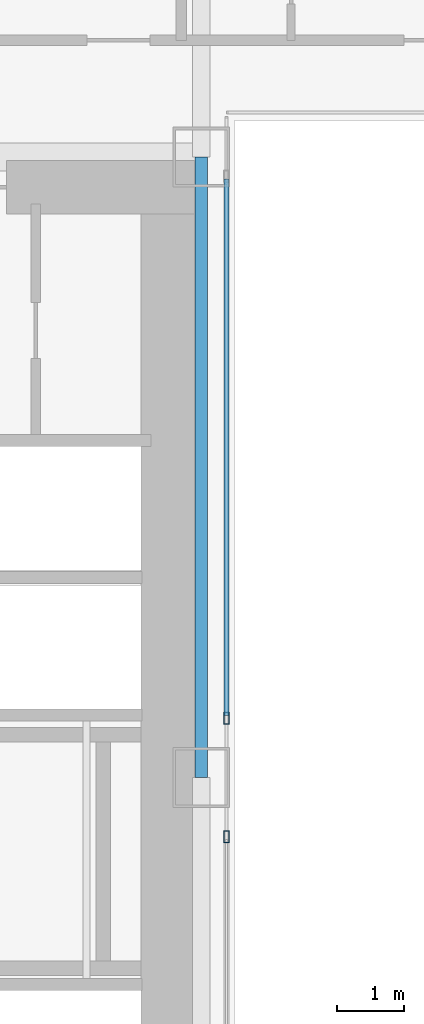
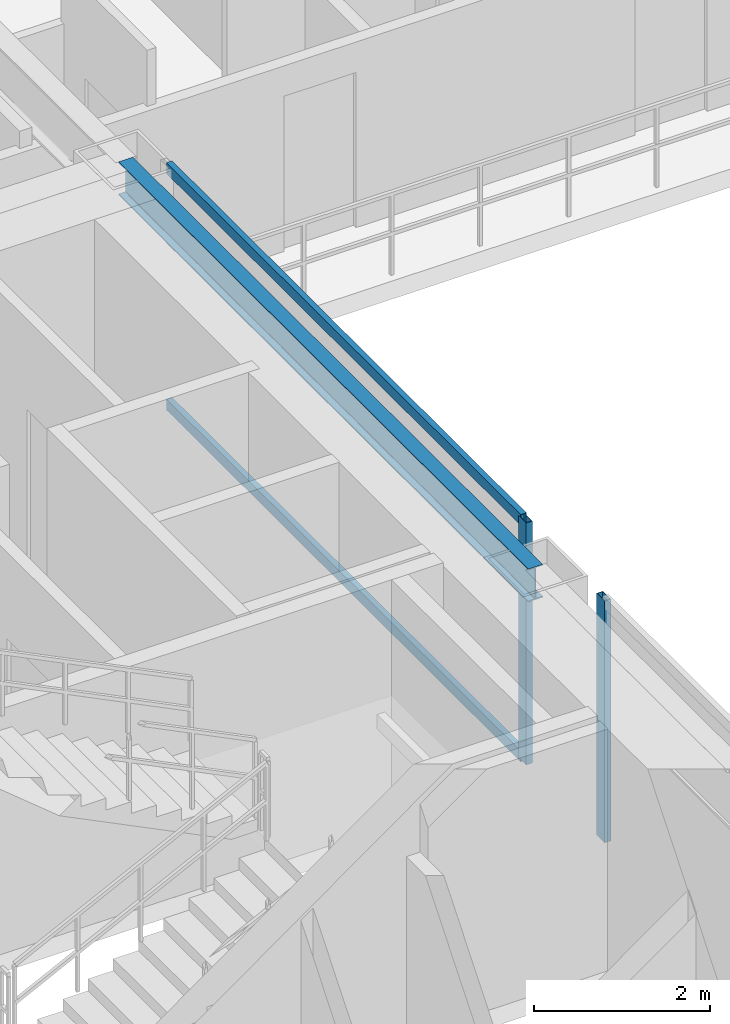
# One storey, part 10 of 41: 5 members, 1 beam, 2 elements without a shape of their own.
"""IFC4 building model written with IfcOpenShell, lengths in metres."""

from ifc_helpers import new_model, si_unit, direction, frame, origin, origin_2d, place, context, subcontext, project, spatial, hollow_rectangle, i_section, extrude, source, transform, mapped, material, layer, layer_set, material_profile, profile_set, type_object, element, aggregate, save


model = new_model("IFC4")

# Units and contexts
model_context = context("Model", 3, precision=1e-05, world=origin(), true_north=direction((0.0, 1.0)))
body_context = subcontext(model_context, "Body", "Model", "MODEL_VIEW")
ifc_project = project(units=[si_unit("LENGTHUNIT", "METRE"), si_unit("AREAUNIT", "SQUARE_METRE"), si_unit("VOLUMEUNIT", "CUBIC_METRE"), si_unit("PLANEANGLEUNIT", "RADIAN"), si_unit("MASSUNIT", "GRAM", prefix="KILO")], contexts=[model_context])

# Site, building, storey
site_placement = place(None, origin())
site = spatial("IfcSite", under=ifc_project, at=site_placement, CompositionType="ELEMENT")
building_placement = place(site_placement, origin())
building = spatial("IfcBuilding", under=site, at=building_placement, Name="Ocotamira Hotel", CompositionType="ELEMENT")
storey_placement = place(building_placement, frame((0.0, 0.0, 38.39990234375)))
storey = spatial("IfcBuildingStorey", under=building, at=storey_placement, Name="L08", CompositionType="ELEMENT", Elevation=38.39990234375)

# Beam
ifc_material_1 = material(Name="Steel ASTM A992 Grade 50", Category="steel")
ifc_material_profile_1 = material_profile(ifc_material_1, i_section(OverallWidth=0.18994140625, OverallDepth=0.45703125, WebThickness=0.009033203125, FlangeThickness=0.014404296875, FilletRadius=0.010009765625, at=origin_2d()), Name="W18X50")
ifc_profile_set_1 = profile_set([ifc_material_profile_1], Name="Steel ASTM A992 Grade 50")
beam_type = type_object("IfcBeamType", Name="BM-SEC-W18X50", PredefinedType="JOIST", material=ifc_profile_set_1)
shared_shape_1 = source(origin(), body_context, "Body", "SweptSolid", [
    extrude(i_section(OverallWidth=0.18994140625, OverallDepth=0.45703125, WebThickness=0.009033203125, FlangeThickness=0.014404296875, FilletRadius=0.010009765625, at=origin_2d()), origin(), (0.0, 0.0, 1.0), 9.300048828125),
])
beam_placement = place(storey_placement, frame((23.5, 28.14990234375, 3.12158203125), z_axis=(0.0, 1.0, 0.0), x_axis=(-1.0, 0.0, 0.0)))
element("IfcBeam", 1, at=beam_placement, inside=storey, type_object=beam_type, Name="L08 Beam X23.5 Y28.15-37.45", PredefinedType="JOIST", context=body_context, shape_type="MappedRepresentation", body=[
    mapped(shared_shape_1, transform((0.0, 0.0, 0.0), scale=1.0)),
])

# Curtain wall, member
ifc_material_2 = material(Name="Anodised pale-metal aluminium and solar glass", Category="aluminium")
ifc_layer = layer(ifc_material_2, 0.159912109375)
ifc_layer_set = layer_set([ifc_layer], Name="Anodised pale-metal aluminium and solar glass")
curtain_wall_type = type_object("IfcCurtainWallType", Name="CW-SYS6-ATR", PredefinedType="NOTDEFINED", material=ifc_layer_set)
curtain_wall_1_placement = place(storey_placement, origin())
curtain_wall_1 = element("IfcCurtainWall", 2, at=curtain_wall_1_placement, inside=storey, type_object=curtain_wall_type, Name="L08 Curtain Wall CW-6 CW-L08-ATRW1", PredefinedType="NOTDEFINED")
ifc_material_3 = material(Name="Anodised pale-metal aluminium 6063-T6", Category="aluminium")
ifc_material_profile_2 = material_profile(ifc_material_3, hollow_rectangle(XDim=0.080078125, YDim=0.179931640625, WallThickness=0.006103515625, at=origin_2d()), Name="HSS180X80X6")
ifc_profile_set_2 = profile_set([ifc_material_profile_2], Name="Anodised pale-metal aluminium 6063-T6")
member_type_1 = type_object("IfcMemberType", Name="CWM-180X75", PredefinedType="MULLION", material=ifc_profile_set_2)
shared_shape_2 = source(origin(), body_context, "Body", "SweptSolid", [
    extrude(hollow_rectangle(XDim=0.080078125, YDim=0.179931640625, WallThickness=0.006103515625, at=origin_2d()), origin(), (0.0, 0.0, 1.0), 3.35009765625),
])
member_1_placement = place(storey_placement, frame((23.8798828125, 27.260009765625, 0.0), z_axis=(0.0, 0.0, 1.0), x_axis=(-1.0, 0.0, 0.0)))
member_1 = element("IfcMember", 3, at=member_1_placement, type_object=member_type_1, Name="CW-6 mullion 3", PredefinedType="MULLION", context=body_context, shape_type="MappedRepresentation", body=[
    mapped(shared_shape_2, transform((0.0, 0.0, 0.0), scale=1.0)),
])
aggregate(curtain_wall_1, [member_1])

# Curtain wall, members
curtain_wall_2_placement = place(storey_placement, origin())
curtain_wall_2 = element("IfcCurtainWall", 4, at=curtain_wall_2_placement, inside=storey, type_object=curtain_wall_type, Name="L08 Curtain Wall CW-6 CW-L08-ATRW2", PredefinedType="NOTDEFINED")
member_2_placement = place(storey_placement, frame((23.8798828125, 29.0400390625, 0.0), z_axis=(0.0, 0.0, 1.0), x_axis=(-1.0, 0.0, 0.0)))
member_2 = element("IfcMember", 5, at=member_2_placement, type_object=member_type_1, Name="CW-6 mullion 1", PredefinedType="MULLION", context=body_context, shape_type="MappedRepresentation", body=[
    mapped(shared_shape_2, transform((0.0, 0.0, 0.0), scale=1.0)),
])
ifc_material_profile_3 = material_profile(ifc_material_3, hollow_rectangle(XDim=0.074951171875, YDim=0.14990234375, WallThickness=0.006103515625, at=origin_2d()), Name="HSS150X75X6")
ifc_profile_set_3 = profile_set([ifc_material_profile_3], Name="Anodised pale-metal aluminium 6063-T6")
member_type_2 = type_object("IfcMemberType", Name="CWT-150X75", PredefinedType="USERDEFINED", material=ifc_profile_set_3)
shared_shape_3 = source(origin(), body_context, "Body", "SweptSolid", [
    extrude(hollow_rectangle(XDim=0.074951171875, YDim=0.14990234375, WallThickness=0.006103515625, at=origin_2d()), origin(), (0.0, 0.0, 1.0), 8.0400390625),
])
member_3_placement = place(storey_placement, frame((23.8798828125, 29.080078125, 0.03759765625), z_axis=(0.0, 1.0, 0.0), x_axis=(-1.0, 0.0, 0.0)))
member_3 = element("IfcMember", 6, at=member_3_placement, type_object=member_type_2, Name="CW-6 transom 1.1", ObjectType="TRANSOM", PredefinedType="USERDEFINED", context=body_context, shape_type="MappedRepresentation", body=[
    mapped(shared_shape_3, transform((0.0, 0.0, 0.0), scale=1.0)),
])
member_4_placement = place(storey_placement, frame((23.8798828125, 29.080078125, 2.35009765625), z_axis=(0.0, 1.0, 0.0), x_axis=(-1.0, 0.0, 0.0)))
member_4 = element("IfcMember", 7, at=member_4_placement, type_object=member_type_2, Name="CW-6 transom 1.2", ObjectType="TRANSOM", PredefinedType="USERDEFINED", context=body_context, shape_type="MappedRepresentation", body=[
    mapped(shared_shape_3, transform((0.0, 0.0, 0.0), scale=1.0)),
])
member_5_placement = place(storey_placement, frame((23.8798828125, 29.080078125, 3.3125), z_axis=(0.0, 1.0, 0.0), x_axis=(-1.0, 0.0, 0.0)))
member_5 = element("IfcMember", 8, at=member_5_placement, type_object=member_type_2, Name="CW-6 transom 1.3", ObjectType="TRANSOM", PredefinedType="USERDEFINED", context=body_context, shape_type="MappedRepresentation", body=[
    mapped(shared_shape_3, transform((0.0, 0.0, 0.0), scale=1.0)),
])
aggregate(curtain_wall_2, [member_2, member_3, member_4, member_5])

save(model, "model.ifc")
